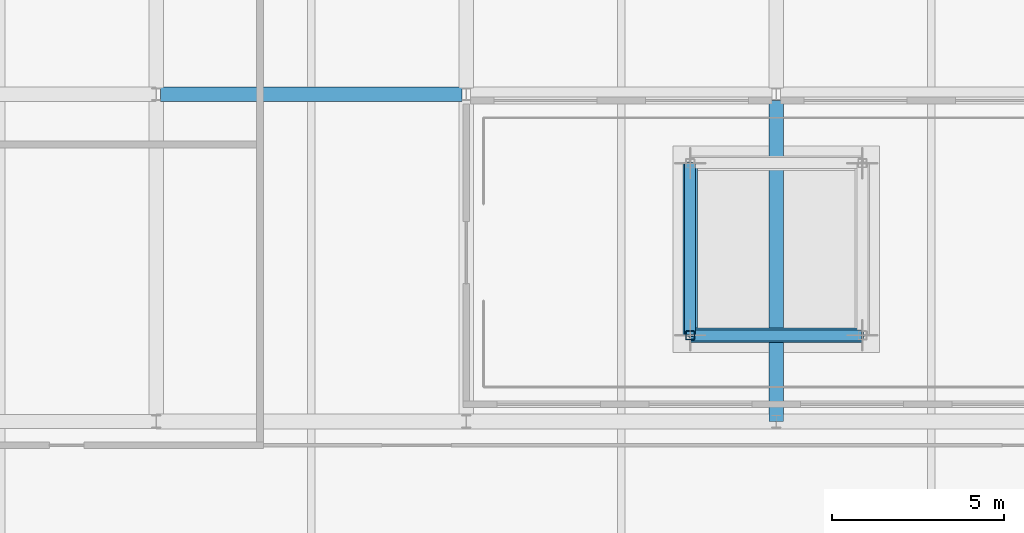
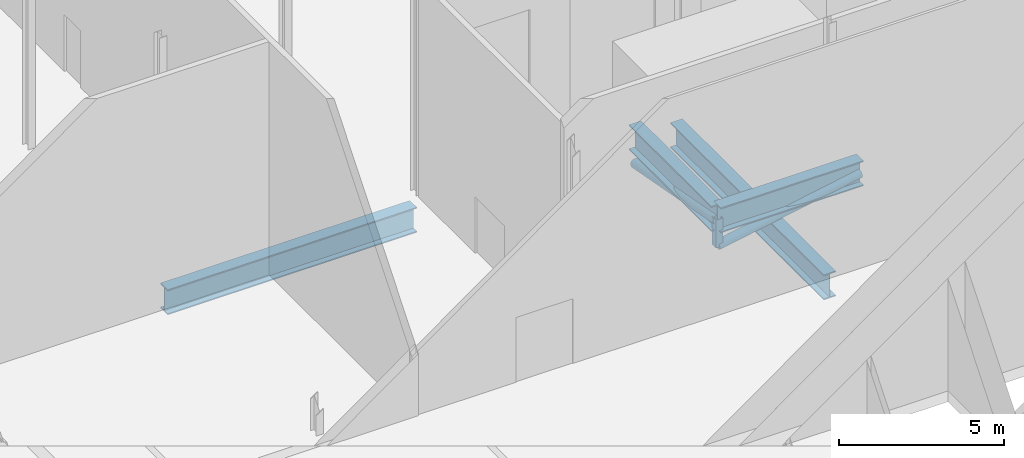
# One storey, part 6 of 26: 5 members, 2 beams.
"""IFC4 building model written with IfcOpenShell, lengths in metres."""

from ifc_helpers import new_model, si_unit, direction, frame, origin, origin_2d, place, context, subcontext, project, spatial, hollow_rectangle, hollow_circle, i_section, extrude, material, material_profile, profile_set, type_object, element, save


model = new_model("IFC4")

# Units and contexts
model_context = context("Model", 3, precision=1e-05, world=origin(), true_north=direction((0.0, 1.0)))
body_context = subcontext(model_context, "Body", "Model", "MODEL_VIEW")
ifc_project = project(units=[si_unit("LENGTHUNIT", "METRE"), si_unit("AREAUNIT", "SQUARE_METRE"), si_unit("VOLUMEUNIT", "CUBIC_METRE"), si_unit("PLANEANGLEUNIT", "RADIAN"), si_unit("MASSUNIT", "GRAM", prefix="KILO")], contexts=[model_context])

# Site, building, storey
site_placement = place(None, origin())
site = spatial("IfcSite", under=ifc_project, at=site_placement, CompositionType="ELEMENT")
building_placement = place(site_placement, origin())
building = spatial("IfcBuilding", under=site, at=building_placement, Name="Zellij Exchange Tower", CompositionType="ELEMENT")
storey_placement = place(building_placement, frame((0.0, 0.0, 296.5)))
storey = spatial("IfcBuildingStorey", under=building, at=storey_placement, Name="L70", CompositionType="ELEMENT", Elevation=296.5)

# Members
ifc_material_1 = material(Name="Structural steel ASTM A913 Gr 65", Category="steel")
ifc_material_profile_1 = material_profile(ifc_material_1, i_section(OverallWidth=0.424072265625, OverallDepth=0.93212890625, WebThickness=0.02392578125, FlangeThickness=0.042724609375, at=origin_2d()), Name="W36x300")
ifc_profile_set_1 = profile_set([ifc_material_profile_1], Name="Structural steel ASTM A913 Gr 65")
member_type_1 = type_object("IfcMemberType", Name="STR-DAMPER FRAME CHORD W36x300", PredefinedType="CHORD", material=ifc_profile_set_1)
for number, where, z_axis, x_axis, name in (
    (1, (-2.5, 7.0, 1.033935546875), (1.0, 0.0, 0.0), (0.0, 1.0, 0.0), "TM1"),
    (2, (-2.5, 12.0, 1.033935546875), (0.0, -1.0, 0.0), (1.0, 0.0, 0.0), "TM1"),
):
    element("IfcMember", number, at=place(storey_placement, frame(where, z_axis=z_axis, x_axis=x_axis)), inside=storey, type_object=member_type_1, Name=name, PredefinedType="CHORD", context=body_context, shape_type="SweptSolid", body=[
        extrude(i_section(OverallWidth=0.424072265625, OverallDepth=0.93212890625, WebThickness=0.02392578125, FlangeThickness=0.042724609375, at=origin_2d()), origin(), (0.0, 0.0, 1.0), 5.0),
    ])
ifc_material_2 = material(Name="Structural steel ASTM A500 Gr C", Category="steel")
ifc_material_profile_2 = material_profile(ifc_material_2, hollow_circle(Radius=0.161865234375, WallThickness=0.01171875, at=origin_2d()), Name="STR-DAMPER FRAME DIAGONAL HSS12.750x0.500")
ifc_profile_set_2 = profile_set([ifc_material_profile_2], Name="Structural steel ASTM A500 Gr C")
member_type_2 = type_object("IfcMemberType", Name="STR-DAMPER FRAME DIAGONAL HSS12.750x0.500", PredefinedType="BRACE", material=ifc_profile_set_2)
for number, where, z_axis, x_axis, name in (
    (3, (-2.5, 7.0, 0.0), (0.983002350945, 0.0, 0.183592968377), (0.0, 1.0, 0.0), "TM2"),
    (4, (-2.5, 12.0, 0.0), (0.0, -0.983002350945, 0.183592968377), (1.0, 0.0, 0.0), "TM2"),
):
    element("IfcMember", number, at=place(storey_placement, frame(where, z_axis=z_axis, x_axis=x_axis)), inside=storey, type_object=member_type_2, Name=name, PredefinedType="BRACE", context=body_context, shape_type="SweptSolid", body=[
        extrude(hollow_circle(Radius=0.161865234375, WallThickness=0.01171875, at=origin_2d()), origin(), (0.0, 0.0, 1.0), 5.08642578125),
    ])
ifc_material_profile_3 = material_profile(ifc_material_2, hollow_rectangle(XDim=0.25390625, YDim=0.25390625, WallThickness=0.0087890625, InnerFilletRadius=0.0087890625, OuterFilletRadius=0.017822265625, at=origin_2d()), Name="STR-DAMPER FRAME POST HSS10x10x3/8")
ifc_profile_set_3 = profile_set([ifc_material_profile_3], Name="Structural steel ASTM A500 Gr C")
member_type_3 = type_object("IfcMemberType", Name="STR-DAMPER FRAME POST HSS10x10x3/8", PredefinedType="POST", material=ifc_profile_set_3)
member_placement = place(storey_placement, frame((-2.5, 7.0, 0.0), z_axis=(0.0, 0.0, 1.0), x_axis=(1.0, 0.0, 0.0)))
element("IfcMember", 5, at=member_placement, inside=storey, type_object=member_type_3, Name="TM3", PredefinedType="POST", context=body_context, shape_type="SweptSolid", body=[
    extrude(hollow_rectangle(XDim=0.25390625, YDim=0.25390625, WallThickness=0.0087890625, InnerFilletRadius=0.0087890625, OuterFilletRadius=0.017822265625, at=origin_2d()), origin(), (0.0, 0.0, 1.0), 1.033935546875),
])

# Beams
ifc_material_profile_4 = material_profile(ifc_material_1, i_section(OverallWidth=0.424072265625, OverallDepth=0.93212890625, WebThickness=0.02392578125, FlangeThickness=0.042724609375, at=origin_2d()), Name="W36x300")
ifc_profile_set_4 = profile_set([ifc_material_profile_4], Name="Structural steel ASTM A913 Gr 65")
beam_type = type_object("IfcBeamType", Name="STR-GIRDER W36x300", PredefinedType="BEAM", material=ifc_profile_set_4)
beam_1_placement = place(storey_placement, frame((-17.873046875, 14.0, -0.8662109375), z_axis=(1.0, 0.0, 0.0), x_axis=(0.0, 1.0, 0.0)))
element("IfcBeam", 6, at=beam_1_placement, inside=storey, type_object=beam_type, Name="G5", PredefinedType="BEAM", context=body_context, shape_type="SweptSolid", body=[
    extrude(i_section(OverallWidth=0.424072265625, OverallDepth=0.93212890625, WebThickness=0.02392578125, FlangeThickness=0.042724609375, at=origin_2d()), origin(), (0.0, 0.0, 1.0), 8.74609375),
])
beam_2_placement = place(storey_placement, frame((0.0, 4.5, -0.8662109375), z_axis=(0.0, 1.0, 0.0), x_axis=(-1.0, 0.0, 0.0)))
element("IfcBeam", 7, at=beam_2_placement, inside=storey, type_object=beam_type, Name="G5", PredefinedType="BEAM", context=body_context, shape_type="SweptSolid", body=[
    extrude(i_section(OverallWidth=0.424072265625, OverallDepth=0.93212890625, WebThickness=0.02392578125, FlangeThickness=0.042724609375, at=origin_2d()), origin(), (0.0, 0.0, 1.0), 9.323486328125),
])

save(model, "model.ifc")
